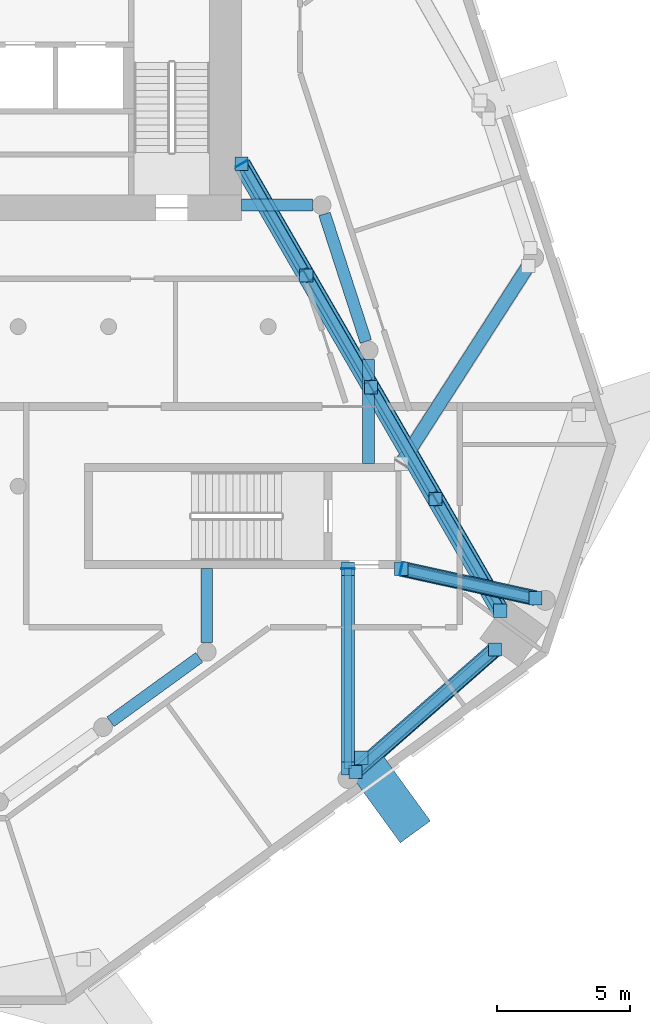
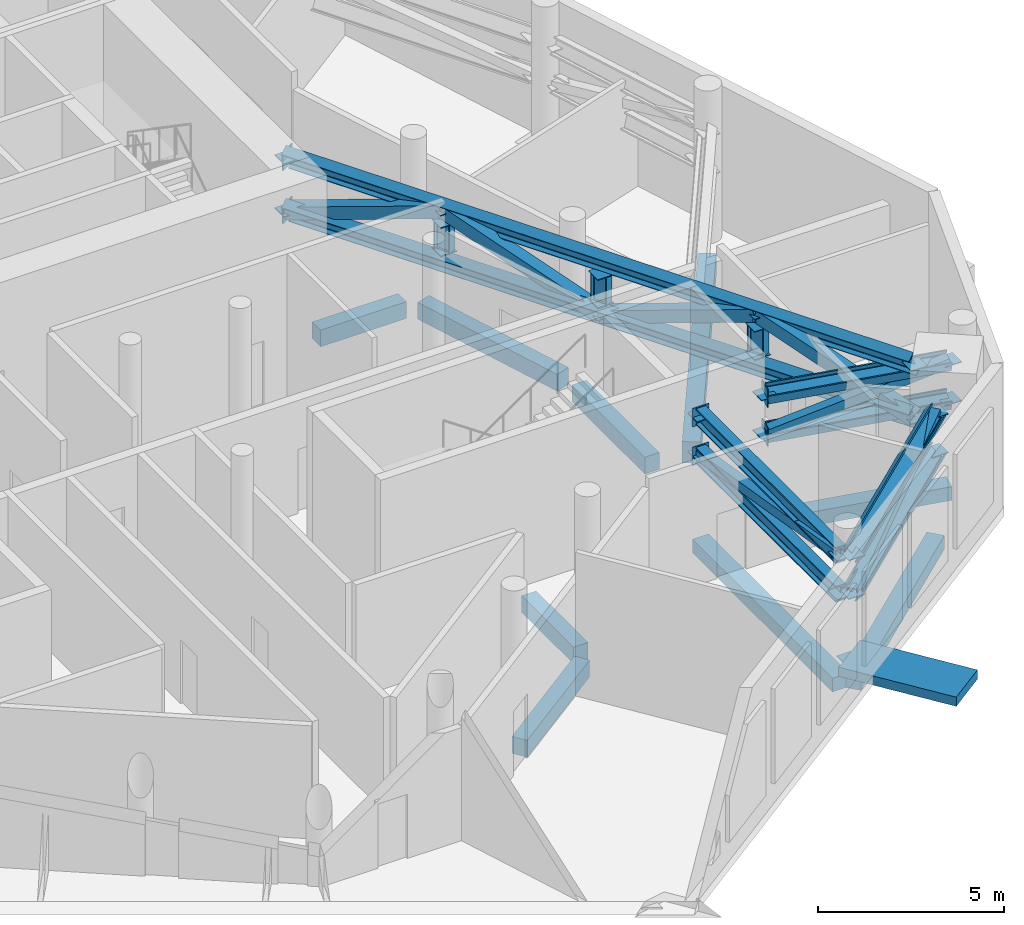
# One storey, part 4 of 17: 32 discrete accessories, 19 members, 9 beams.
"""IFC4 building model written with IfcOpenShell, lengths in metres."""

from ifc_helpers import new_model, si_unit, direction, frame, origin, origin_2d, place, context, subcontext, project, spatial, rectangle, hollow_rectangle, i_section, extrude, material, layer, layer_set, material_profile, profile_set, type_object, element, aggregate, save


model = new_model("IFC4")

# Units and contexts
model_context = context("Model", 3, precision=1e-05, world=origin(), true_north=direction((0.0, 1.0)))
body_context = subcontext(model_context, "Body", "Model", "MODEL_VIEW")
ifc_project = project(units=[si_unit("LENGTHUNIT", "METRE"), si_unit("AREAUNIT", "SQUARE_METRE"), si_unit("VOLUMEUNIT", "CUBIC_METRE"), si_unit("PLANEANGLEUNIT", "RADIAN"), si_unit("MASSUNIT", "GRAM", prefix="KILO")], contexts=[model_context])

# Site, building, storey
site_placement = place(None, origin())
site = spatial("IfcSite", under=ifc_project, at=site_placement, CompositionType="ELEMENT")
building_placement = place(site_placement, origin())
building = spatial("IfcBuilding", under=site, at=building_placement, Name="White Candle Pilgrim Tower", CompositionType="ELEMENT")
storey_placement = place(building_placement, frame((0.0, 0.0, 191.5)))
storey = spatial("IfcBuildingStorey", under=building, at=storey_placement, Name="L44", CompositionType="ELEMENT", Elevation=191.5)

# Member
ifc_material_1 = material(Name="Steel S355", Category="steel")
ifc_material_profile_1 = material_profile(ifc_material_1, i_section(OverallWidth=0.305908203125, OverallDepth=0.52392578125, WebThickness=0.02099609375, FlangeThickness=0.0400390625, FilletRadius=0.027099609375, at=origin_2d()), Name="HEM 500")
ifc_profile_set_1 = profile_set([ifc_material_profile_1], Name="Steel S355")
member_type_1 = type_object("IfcMemberType", Name="Belt truss chord HEM 500 S355", PredefinedType="CHORD", material=ifc_profile_set_1)
member_1_placement = place(storey_placement, frame((85.0, 50.385009765625, 2.412109375), z_axis=(0.0, 1.0, 0.0), x_axis=(1.0, 0.0, 0.0)))
member_1 = element("IfcMember", 1, at=member_1_placement, inside=storey, type_object=member_type_1, Name="L44 belt truss bottom chord 04", PredefinedType="CHORD", context=body_context, shape_type="SweptSolid", body=[
    extrude(i_section(OverallWidth=0.305908203125, OverallDepth=0.52392578125, WebThickness=0.02099609375, FlangeThickness=0.0400390625, FilletRadius=0.027099609375, at=origin_2d()), origin(), (0.0, 0.0, 1.0), 7.514892578125),
])

member_2_placement = place(storey_placement, frame((85.0, 50.385009765625, 3.677978515625), z_axis=(0.0, 1.0, 0.0), x_axis=(1.0, 0.0, 0.0)))
member_2 = element("IfcMember", 2, at=member_2_placement, inside=storey, type_object=member_type_1, Name="L44 belt truss top chord 04", PredefinedType="CHORD", context=body_context, shape_type="SweptSolid", body=[
    extrude(i_section(OverallWidth=0.305908203125, OverallDepth=0.52392578125, WebThickness=0.02099609375, FlangeThickness=0.0400390625, FilletRadius=0.027099609375, at=origin_2d()), origin(), (0.0, 0.0, 1.0), 7.514892578125),
])

member_3_placement = place(storey_placement, frame((85.28173828125, 50.25732421875, 2.412109375), z_axis=(0.751529055224, 0.65969999178, 0.0), x_axis=(0.435201955048, -0.495781291775, 0.751531881591)))
member_3 = element("IfcMember", 3, at=member_3_placement, inside=storey, type_object=member_type_1, Name="L44 belt truss bottom chord 05", PredefinedType="CHORD", context=body_context, shape_type="SweptSolid", body=[
    extrude(i_section(OverallWidth=0.305908203125, OverallDepth=0.52392578125, WebThickness=0.02099609375, FlangeThickness=0.0400390625, FilletRadius=0.027099609375, at=origin_2d()), origin(), (0.0, 0.0, 1.0), 6.97900390625),
])

member_4_placement = place(storey_placement, frame((85.28173828125, 50.25732421875, 3.677978515625), z_axis=(0.751529055224, 0.65969999178, 0.0), x_axis=(0.435201955048, -0.495781291775, 0.751531881591)))
member_4 = element("IfcMember", 4, at=member_4_placement, inside=storey, type_object=member_type_1, Name="L44 belt truss top chord 05", PredefinedType="CHORD", context=body_context, shape_type="SweptSolid", body=[
    extrude(i_section(OverallWidth=0.305908203125, OverallDepth=0.52392578125, WebThickness=0.02099609375, FlangeThickness=0.0400390625, FilletRadius=0.027099609375, at=origin_2d()), origin(), (0.0, 0.0, 1.0), 6.97900390625),
])

member_5_placement = place(storey_placement, frame((92.053955078125, 56.790283203125, 2.412109375), z_axis=(-0.976735666267, 0.214446819148, 0.0), x_axis=(0.045987159573, 0.209456587531, -0.976735951572)))
member_5 = element("IfcMember", 5, at=member_5_placement, inside=storey, type_object=member_type_1, Name="L44 belt truss bottom chord 06", PredefinedType="CHORD", context=body_context, shape_type="SweptSolid", body=[
    extrude(i_section(OverallWidth=0.305908203125, OverallDepth=0.52392578125, WebThickness=0.02099609375, FlangeThickness=0.0400390625, FilletRadius=0.027099609375, at=origin_2d()), origin(), (0.0, 0.0, 1.0), 5.17431640625),
])

member_6_placement = place(storey_placement, frame((92.053955078125, 56.790283203125, 3.677978515625), z_axis=(-0.976735666267, 0.214446819148, 0.0), x_axis=(0.045987159573, 0.209456587531, -0.976735951572)))
member_6 = element("IfcMember", 6, at=member_6_placement, inside=storey, type_object=member_type_1, Name="L44 belt truss top chord 06", PredefinedType="CHORD", context=body_context, shape_type="SweptSolid", body=[
    extrude(i_section(OverallWidth=0.305908203125, OverallDepth=0.52392578125, WebThickness=0.02099609375, FlangeThickness=0.0400390625, FilletRadius=0.027099609375, at=origin_2d()), origin(), (0.0, 0.0, 1.0), 5.17431640625),
])

# Members
ifc_material_profile_2 = material_profile(ifc_material_1, hollow_rectangle(XDim=0.300048828125, YDim=0.300048828125, WallThickness=0.01611328125, at=origin_2d()), Name="SHS 300x300x16")
ifc_profile_set_2 = profile_set([ifc_material_profile_2], Name="Steel S355")
member_type_2 = type_object("IfcMemberType", Name="Belt truss diagonal SHS 300x300x16 S355", PredefinedType="BRACE", material=ifc_profile_set_2)
member_7_placement = place(storey_placement, frame((85.0, 50.385009765625, 3.677978515625), z_axis=(0.0, 0.986107580236, -0.166107917336), x_axis=(-1.0, 0.0, 0.0)))
element("IfcMember", 7, at=member_7_placement, inside=storey, type_object=member_type_2, Name="L44 belt truss diagonal 04", PredefinedType="BRACE", context=body_context, shape_type="SweptSolid", body=[
    extrude(hollow_rectangle(XDim=0.300048828125, YDim=0.300048828125, WallThickness=0.01611328125, at=origin_2d()), origin(), (0.0, 0.0, 1.0), 7.620849609375),
])
member_8_placement = place(storey_placement, frame((85.28173828125, 50.25732421875, 2.412109375), z_axis=(0.739463231181, 0.649108486413, 0.178472133951), x_axis=(-0.65969999178, 0.751529055224, 0.0)))
element("IfcMember", 8, at=member_8_placement, inside=storey, type_object=member_type_2, Name="L44 belt truss diagonal 05", PredefinedType="BRACE", context=body_context, shape_type="SweptSolid", body=[
    extrude(hollow_rectangle(XDim=0.300048828125, YDim=0.300048828125, WallThickness=0.01611328125, at=origin_2d()), origin(), (0.0, 0.0, 1.0), 7.0927734375),
])
member_9_placement = place(storey_placement, frame((92.053955078125, 56.790283203125, 3.677978515625), z_axis=(-0.948756378646, 0.208303837541, -0.237635951079), x_axis=(-0.214446819148, -0.976735666267, 0.0)))
element("IfcMember", 9, at=member_9_placement, inside=storey, type_object=member_type_2, Name="L44 belt truss diagonal 06", PredefinedType="BRACE", context=body_context, shape_type="SweptSolid", body=[
    extrude(hollow_rectangle(XDim=0.300048828125, YDim=0.300048828125, WallThickness=0.01611328125, at=origin_2d()), origin(), (0.0, 0.0, 1.0), 5.326904296875),
])

# Member
ifc_material_profile_3 = material_profile(ifc_material_1, i_section(OverallWidth=0.302978515625, OverallDepth=0.81396484375, WebThickness=0.02099609375, FlangeThickness=0.0400390625, FilletRadius=0.030029296875, at=origin_2d()), Name="HEM 800")
ifc_profile_set_3 = profile_set([ifc_material_profile_3], Name="Steel S355")
member_type_3 = type_object("IfcMemberType", Name="L44 outrigger 1 chord HEM 800 S355", PredefinedType="CHORD", material=ifc_profile_set_3)
member_10_placement = place(storey_placement, frame((81.0, 73.125, 2.556884765625), z_axis=(0.500994136413, -0.865450677555, 0.0), x_axis=(0.749007670622, 0.433587332983, 0.500988556782)))
member_10 = element("IfcMember", 10, at=member_10_placement, inside=storey, type_object=member_type_3, Name="L44 outrigger 2 bottom chord", PredefinedType="CHORD", context=body_context, shape_type="SweptSolid", body=[
    extrude(i_section(OverallWidth=0.302978515625, OverallDepth=0.81396484375, WebThickness=0.02099609375, FlangeThickness=0.0400390625, FilletRadius=0.030029296875, at=origin_2d()), origin(), (0.0, 0.0, 1.0), 19.4150390625),
])

member_11_placement = place(storey_placement, frame((81.0, 73.125, 4.29296875), z_axis=(0.500994136413, -0.865450677555, 0.0), x_axis=(0.749007670622, 0.433587332983, 0.500988556782)))
member_11 = element("IfcMember", 11, at=member_11_placement, inside=storey, type_object=member_type_3, Name="L44 outrigger 2 top chord", PredefinedType="CHORD", context=body_context, shape_type="SweptSolid", body=[
    extrude(i_section(OverallWidth=0.302978515625, OverallDepth=0.81396484375, WebThickness=0.02099609375, FlangeThickness=0.0400390625, FilletRadius=0.030029296875, at=origin_2d()), origin(), (0.0, 0.0, 1.0), 19.4150390625),
])

ifc_material_profile_4 = material_profile(ifc_material_1, hollow_rectangle(XDim=0.39990234375, YDim=0.39990234375, WallThickness=0.02001953125, at=origin_2d()), Name="SHS 400x400x20")
ifc_profile_set_4 = profile_set([ifc_material_profile_4], Name="Steel S355")
member_type_4 = type_object("IfcMemberType", Name="L44 outrigger 1 diagonal SHS 400x400x20 S355", PredefinedType="BRACE", material=ifc_profile_set_4)
member_12_placement = place(storey_placement, frame((81.0, 73.125, 2.556884765625), z_axis=(0.471717853032, -0.814897327235, 0.336785708123), x_axis=(0.865456129808, 0.500984717708, 0.0)))
member_12 = element("IfcMember", 12, at=member_12_placement, inside=storey, type_object=member_type_4, Name="L44 outrigger 2 diagonal 1", PredefinedType="BRACE", context=body_context, shape_type="SweptSolid", body=[
    extrude(hollow_rectangle(XDim=0.39990234375, YDim=0.39990234375, WallThickness=0.02001953125, at=origin_2d()), origin(), (0.0, 0.0, 1.0), 5.15478515625),
])

member_13_placement = place(storey_placement, frame((83.431640625, 68.92431640625, 4.29296875), z_axis=(0.471717853032, -0.814897327235, -0.336785708123), x_axis=(0.865456129808, 0.500984717708, 0.0)))
member_13 = element("IfcMember", 13, at=member_13_placement, inside=storey, type_object=member_type_4, Name="L44 outrigger 2 diagonal 2", PredefinedType="BRACE", context=body_context, shape_type="SweptSolid", body=[
    extrude(hollow_rectangle(XDim=0.39990234375, YDim=0.39990234375, WallThickness=0.02001953125, at=origin_2d()), origin(), (0.0, 0.0, 1.0), 5.15478515625),
])

member_14_placement = place(storey_placement, frame((85.86328125, 64.7236328125, 2.556884765625), z_axis=(0.471717853032, -0.814897327235, 0.336785708123), x_axis=(0.865456129808, 0.500984717708, 0.0)))
member_14 = element("IfcMember", 14, at=member_14_placement, inside=storey, type_object=member_type_4, Name="L44 outrigger 2 diagonal 3", PredefinedType="BRACE", context=body_context, shape_type="SweptSolid", body=[
    extrude(hollow_rectangle(XDim=0.39990234375, YDim=0.39990234375, WallThickness=0.02001953125, at=origin_2d()), origin(), (0.0, 0.0, 1.0), 5.15478515625),
])

member_15_placement = place(storey_placement, frame((88.294921875, 60.52294921875, 4.29296875), z_axis=(0.471754674314, -0.814879121198, -0.336778183822), x_axis=(0.865434320592, 0.501022391457, 0.0)))
element("IfcMember", 15, at=member_15_placement, inside=storey, type_object=member_type_4, Name="L44 outrigger 2 diagonal 4", PredefinedType="BRACE", context=body_context, shape_type="SweptSolid", body=[
    extrude(hollow_rectangle(XDim=0.39990234375, YDim=0.39990234375, WallThickness=0.02001953125, at=origin_2d()), origin(), (0.0, 0.0, 1.0), 5.155029296875),
])

ifc_material_profile_5 = material_profile(ifc_material_1, i_section(OverallWidth=0.300048828125, OverallDepth=0.5, WebThickness=0.014404296875, FlangeThickness=0.028076171875, FilletRadius=0.027099609375, at=origin_2d()), Name="HEB 500")
ifc_profile_set_5 = profile_set([ifc_material_profile_5], Name="Steel S355")
member_type_5 = type_object("IfcMemberType", Name="L44 outrigger 1 post HEB 500 S355", PredefinedType="POST", material=ifc_profile_set_5)
member_16_placement = place(storey_placement, frame((83.431640625, 68.92431640625, 2.964111328125), z_axis=(0.0, 0.0, 1.0), x_axis=(0.865453907481, 0.500988556782, 0.0)))
member_16 = element("IfcMember", 16, at=member_16_placement, inside=storey, type_object=member_type_5, Name="L44 outrigger 2 post 1", PredefinedType="POST", context=body_context, shape_type="SweptSolid", body=[
    extrude(i_section(OverallWidth=0.300048828125, OverallDepth=0.5, WebThickness=0.014404296875, FlangeThickness=0.028076171875, FilletRadius=0.027099609375, at=origin_2d()), origin(), (0.0, 0.0, 1.0), 0.921875),
])

member_17_placement = place(storey_placement, frame((85.86328125, 64.7236328125, 2.964111328125), z_axis=(0.0, 0.0, 1.0), x_axis=(0.865453907481, 0.500988556782, 0.0)))
member_17 = element("IfcMember", 17, at=member_17_placement, inside=storey, type_object=member_type_5, Name="L44 outrigger 2 post 2", PredefinedType="POST", context=body_context, shape_type="SweptSolid", body=[
    extrude(i_section(OverallWidth=0.300048828125, OverallDepth=0.5, WebThickness=0.014404296875, FlangeThickness=0.028076171875, FilletRadius=0.027099609375, at=origin_2d()), origin(), (0.0, 0.0, 1.0), 0.921875),
])

member_18_placement = place(storey_placement, frame((88.294921875, 60.52294921875, 2.964111328125), z_axis=(0.0, 0.0, 1.0), x_axis=(0.865453907481, 0.500988556782, 0.0)))
member_18 = element("IfcMember", 18, at=member_18_placement, inside=storey, type_object=member_type_5, Name="L44 outrigger 2 post 3", PredefinedType="POST", context=body_context, shape_type="SweptSolid", body=[
    extrude(i_section(OverallWidth=0.300048828125, OverallDepth=0.5, WebThickness=0.014404296875, FlangeThickness=0.028076171875, FilletRadius=0.027099609375, at=origin_2d()), origin(), (0.0, 0.0, 1.0), 0.921875),
])

ifc_material_2 = material(Name="Concrete C70/85, white", Category="concrete")
ifc_layer_1 = layer(ifc_material_2, 0.300048828125)
ifc_layer_set_1 = layer_set([ifc_layer_1], Name="Node tie strut 3450x1400x300 C70/85")
member_type_6 = type_object("IfcMemberType", Name="Node tie strut 3450x1400x300 C70/85", PredefinedType="STRUT", material=ifc_layer_set_1)
member_19_placement = place(storey_placement, frame((86.51904296875, 49.3984375, -0.2998046875), z_axis=(0.0, 0.0, 1.0), x_axis=(0.809016994375, 0.587785252292, 0.0)))
member_19 = element("IfcMember", 19, at=member_19_placement, inside=storey, type_object=member_type_6, Name="Node tie strut NC146", PredefinedType="STRUT", context=body_context, shape_type="SweptSolid", body=[
    extrude(rectangle(XDim=1.39990234375, YDim=3.449951171875, at=origin_2d()), origin(), (0.0, 0.0, 1.0), 0.300048828125),
])

# Beams
ifc_material_3 = material(Name="Concrete C50/60", Category="concrete")
ifc_material_profile_6 = material_profile(ifc_material_3, rectangle(XDim=0.449951171875, YDim=0.550048828125, at=origin_2d()), Name="RC-BM 450x550")
ifc_profile_set_6 = profile_set([ifc_material_profile_6], Name="Concrete C50/60")
beam_type_1 = type_object("IfcBeamType", Name="Ring beam RC-BM 450x550 C50/60", PredefinedType="BEAM", material=ifc_profile_set_6)
beam_1_placement = place(storey_placement, frame((76.072998046875, 52.1455078125, -0.574951171875), z_axis=(0.809401961177, 0.587255025728, 0.0), x_axis=(-0.587255025728, 0.809401961177, 0.0)))
element("IfcBeam", 20, at=beam_1_placement, inside=storey, type_object=beam_type_1, Name="L44 ring beam R05", PredefinedType="BEAM", context=body_context, shape_type="SweptSolid", body=[
    extrude(rectangle(XDim=0.449951171875, YDim=0.550048828125, at=origin_2d()), origin(), (0.0, 0.0, 1.0), 4.119140625),
])
beam_2_placement = place(storey_placement, frame((79.68994140625, 55.1201171875, -0.574951171875), z_axis=(0.0, 1.0, 0.0), x_axis=(-1.0, 0.0, 0.0)))
element("IfcBeam", 21, at=beam_2_placement, inside=storey, type_object=beam_type_1, Name="L44 ring beam R06", PredefinedType="BEAM", context=body_context, shape_type="SweptSolid", body=[
    extrude(rectangle(XDim=0.449951171875, YDim=0.550048828125, at=origin_2d()), origin(), (0.0, 0.0, 1.0), 2.77978515625),
])
beam_3_placement = place(storey_placement, frame((85.780029296875, 65.760009765625, -0.574951171875), z_axis=(0.0, -1.0, 0.0), x_axis=(1.0, 0.0, 0.0)))
element("IfcBeam", 22, at=beam_3_placement, inside=storey, type_object=beam_type_1, Name="L44 ring beam R07", PredefinedType="BEAM", context=body_context, shape_type="SweptSolid", body=[
    extrude(rectangle(XDim=0.449951171875, YDim=0.550048828125, at=origin_2d()), origin(), (0.0, 0.0, 1.0), 3.909912109375),
])
beam_4_placement = place(storey_placement, frame((85.672119140625, 66.44287109375, -0.574951171875), z_axis=(-0.308369651752, 0.95126660715, 0.0), x_axis=(-0.95126660715, -0.308369651752, 0.0)))
element("IfcBeam", 23, at=beam_4_placement, inside=storey, type_object=beam_type_1, Name="L44 ring beam R08", PredefinedType="BEAM", context=body_context, shape_type="SweptSolid", body=[
    extrude(rectangle(XDim=0.449951171875, YDim=0.550048828125, at=origin_2d()), origin(), (0.0, 0.0, 1.0), 5.0400390625),
])
beam_5_placement = place(storey_placement, frame((83.659912109375, 71.570068359375, -0.574951171875), z_axis=(-1.0, 0.0, 0.0), x_axis=(0.0, -1.0, 0.0)))
element("IfcBeam", 24, at=beam_5_placement, inside=storey, type_object=beam_type_1, Name="L44 ring beam R09", PredefinedType="BEAM", context=body_context, shape_type="SweptSolid", body=[
    extrude(rectangle(XDim=0.449951171875, YDim=0.550048828125, at=origin_2d()), origin(), (0.0, 0.0, 1.0), 2.659912109375),
])
ifc_material_profile_7 = material_profile(ifc_material_3, rectangle(XDim=0.5, YDim=0.449951171875, at=origin_2d()), Name="RC-BM 500x450")
ifc_profile_set_7 = profile_set([ifc_material_profile_7], Name="Concrete C50/60")
beam_type_2 = type_object("IfcBeamType", Name="Spandrel beam RC-BM 500x450 C50/60", PredefinedType="BEAM", material=ifc_profile_set_7)
beam_6_placement = place(storey_placement, frame((85.0, 50.385009765625, -0.52490234375), z_axis=(0.0, 1.0, 0.0), x_axis=(-1.0, 0.0, 0.0)))
element("IfcBeam", 25, at=beam_6_placement, inside=storey, type_object=beam_type_2, Name="L44 spandrel beam T04", PredefinedType="BEAM", context=body_context, shape_type="SweptSolid", body=[
    extrude(rectangle(XDim=0.5, YDim=0.449951171875, at=origin_2d()), origin(), (0.0, 0.0, 1.0), 7.514892578125),
])
beam_7_placement = place(storey_placement, frame((85.28173828125, 50.25732421875, -0.52490234375), z_axis=(0.751529055224, 0.65969999178, 0.0), x_axis=(-0.65969999178, 0.751529055224, 0.0)))
element("IfcBeam", 26, at=beam_7_placement, inside=storey, type_object=beam_type_2, Name="L44 spandrel beam T05", PredefinedType="BEAM", context=body_context, shape_type="SweptSolid", body=[
    extrude(rectangle(XDim=0.5, YDim=0.449951171875, at=origin_2d()), origin(), (0.0, 0.0, 1.0), 6.97900390625),
])
beam_8_placement = place(storey_placement, frame((92.053955078125, 56.790283203125, -0.52490234375), z_axis=(-0.976735666267, 0.214446819148, 0.0), x_axis=(-0.214446819148, -0.976735666267, 0.0)))
element("IfcBeam", 27, at=beam_8_placement, inside=storey, type_object=beam_type_2, Name="L44 spandrel beam T06", PredefinedType="BEAM", context=body_context, shape_type="SweptSolid", body=[
    extrude(rectangle(XDim=0.5, YDim=0.449951171875, at=origin_2d()), origin(), (0.0, 0.0, 1.0), 5.17431640625),
])
ifc_material_profile_8 = material_profile(ifc_material_3, rectangle(XDim=0.5, YDim=0.699951171875, at=origin_2d()), Name="RC-BM 500x700")
ifc_profile_set_8 = profile_set([ifc_material_profile_8], Name="Concrete C50/60")
beam_type_3 = type_object("IfcBeamType", Name="Spandrel beam RC-BM 500x700 C50/60", PredefinedType="BEAM", material=ifc_profile_set_8)
beam_9_placement = place(storey_placement, frame((91.77734375, 69.28466796875, -0.64990234375), z_axis=(-0.540595612128, -0.841282582815, 0.0), x_axis=(0.841282582815, -0.540595612128, 0.0)))
element("IfcBeam", 28, at=beam_9_placement, inside=storey, type_object=beam_type_3, Name="L44 spandrel beam T07", PredefinedType="BEAM", context=body_context, shape_type="SweptSolid", body=[
    extrude(rectangle(XDim=0.5, YDim=0.699951171875, at=origin_2d()), origin(), (0.0, 0.0, 1.0), 8.837158203125),
])

# Discrete accessory
ifc_layer_2 = layer(ifc_material_1, 0.030029296875)
ifc_layer_set_2 = layer_set([ifc_layer_2], Name="Cast-in plate 500x600x30 S355")
discrete_accessory_type_1 = type_object("IfcDiscreteAccessoryType", Name="Cast-in plate 500x600x30 S355", PredefinedType="ANCHORPLATE", material=ifc_layer_set_2)
discrete_accessory_1_placement = place(storey_placement, frame((85.0, 57.89990234375, 2.112060546875), z_axis=(0.0, 0.0, 1.0), x_axis=(0.0, -1.0, 0.0)))
discrete_accessory_1 = element("IfcDiscreteAccessory", 29, at=discrete_accessory_1_placement, type_object=discrete_accessory_type_1, Name="Cast-in plate 0015", PredefinedType="ANCHORPLATE", context=body_context, shape_type="SweptSolid", body=[
    extrude(rectangle(XDim=0.030029296875, YDim=0.5, at=origin_2d()), origin(), (0.0, 0.0, 1.0), 0.60009765625),
])

discrete_accessory_2_placement = place(storey_placement, frame((85.0, 57.89990234375, 3.3779296875), z_axis=(0.0, 0.0, 1.0), x_axis=(0.0, -1.0, 0.0)))
discrete_accessory_2 = element("IfcDiscreteAccessory", 30, at=discrete_accessory_2_placement, type_object=discrete_accessory_type_1, Name="Cast-in plate 0016", PredefinedType="ANCHORPLATE", context=body_context, shape_type="SweptSolid", body=[
    extrude(rectangle(XDim=0.030029296875, YDim=0.5, at=origin_2d()), origin(), (0.0, 0.0, 1.0), 0.60009765625),
])

discrete_accessory_3_placement = place(storey_placement, frame((87.0, 57.89990234375, 2.112060546875), z_axis=(0.0, 0.0, 1.0), x_axis=(0.976735948597, -0.214445533221, 0.0)))
discrete_accessory_3 = element("IfcDiscreteAccessory", 31, at=discrete_accessory_3_placement, type_object=discrete_accessory_type_1, Name="Cast-in plate 0017", PredefinedType="ANCHORPLATE", context=body_context, shape_type="SweptSolid", body=[
    extrude(rectangle(XDim=0.030029296875, YDim=0.5, at=origin_2d()), origin(), (0.0, 0.0, 1.0), 0.60009765625),
])

discrete_accessory_4_placement = place(storey_placement, frame((87.0, 57.89990234375, 3.3779296875), z_axis=(0.0, 0.0, 1.0), x_axis=(0.976735948597, -0.214445533221, 0.0)))
discrete_accessory_4 = element("IfcDiscreteAccessory", 32, at=discrete_accessory_4_placement, type_object=discrete_accessory_type_1, Name="Cast-in plate 0018", PredefinedType="ANCHORPLATE", context=body_context, shape_type="SweptSolid", body=[
    extrude(rectangle(XDim=0.030029296875, YDim=0.5, at=origin_2d()), origin(), (0.0, 0.0, 1.0), 0.60009765625),
])

discrete_accessory_5_placement = place(storey_placement, frame((81.0, 73.125, 2.2568359375), z_axis=(0.0, 0.0, 1.0), x_axis=(0.500982152693, -0.865457614608, 0.0)))
discrete_accessory_5 = element("IfcDiscreteAccessory", 33, at=discrete_accessory_5_placement, type_object=discrete_accessory_type_1, Name="Cast-in plate 0047", PredefinedType="ANCHORPLATE", context=body_context, shape_type="SweptSolid", body=[
    extrude(rectangle(XDim=0.030029296875, YDim=0.5, at=origin_2d()), origin(), (0.0, 0.0, 1.0), 0.60009765625),
])

discrete_accessory_6_placement = place(storey_placement, frame((81.0, 73.125, 3.992919921875), z_axis=(0.0, 0.0, 1.0), x_axis=(0.500982152693, -0.865457614608, 0.0)))
discrete_accessory_6 = element("IfcDiscreteAccessory", 34, at=discrete_accessory_6_placement, type_object=discrete_accessory_type_1, Name="Cast-in plate 0048", PredefinedType="ANCHORPLATE", context=body_context, shape_type="SweptSolid", body=[
    extrude(rectangle(XDim=0.030029296875, YDim=0.5, at=origin_2d()), origin(), (0.0, 0.0, 1.0), 0.60009765625),
])

ifc_layer_3 = layer(ifc_material_1, 0.02490234375)
ifc_layer_set_3 = layer_set([ifc_layer_3], Name="Gusset plate 500x500x25 S355")
discrete_accessory_type_2 = type_object("IfcDiscreteAccessoryType", Name="Gusset plate 500x500x25 S355", PredefinedType="BRACKET", material=ifc_layer_set_3)
discrete_accessory_7_placement = place(storey_placement, frame((85.505126953125, 50.794189453125, -0.162353515625), z_axis=(0.0, 0.0, 1.0), x_axis=(1.0, 0.0, 0.0)))
discrete_accessory_7 = element("IfcDiscreteAccessory", 35, at=discrete_accessory_7_placement, type_object=discrete_accessory_type_2, Name="Gusset plate 0527", PredefinedType="BRACKET", context=body_context, shape_type="SweptSolid", body=[
    extrude(rectangle(XDim=0.5, YDim=0.5, at=origin_2d()), origin(), (0.0, 0.0, 1.0), 0.02490234375),
])

aggregate(member_19, [discrete_accessory_7])

discrete_accessory_8_placement = place(storey_placement, frame((85.0, 50.385009765625, 2.399658203125), z_axis=(0.0, 0.0, 1.0), x_axis=(1.0, 0.0, 0.0)))
discrete_accessory_8 = element("IfcDiscreteAccessory", 36, at=discrete_accessory_8_placement, type_object=discrete_accessory_type_2, Name="Gusset plate 0790", PredefinedType="BRACKET", context=body_context, shape_type="SweptSolid", body=[
    extrude(rectangle(XDim=0.5, YDim=0.5, at=origin_2d()), origin(), (0.0, 0.0, 1.0), 0.02490234375),
])

discrete_accessory_9_placement = place(storey_placement, frame((85.0, 57.89990234375, 2.399658203125), z_axis=(0.0, 0.0, 1.0), x_axis=(1.0, 0.0, 0.0)))
discrete_accessory_9 = element("IfcDiscreteAccessory", 37, at=discrete_accessory_9_placement, type_object=discrete_accessory_type_2, Name="Gusset plate 0791", PredefinedType="BRACKET", context=body_context, shape_type="SweptSolid", body=[
    extrude(rectangle(XDim=0.5, YDim=0.5, at=origin_2d()), origin(), (0.0, 0.0, 1.0), 0.02490234375),
])

aggregate(member_1, [discrete_accessory_8, discrete_accessory_9, discrete_accessory_1])

discrete_accessory_10_placement = place(storey_placement, frame((85.0, 50.385009765625, 3.66552734375), z_axis=(0.0, 0.0, 1.0), x_axis=(1.0, 0.0, 0.0)))
discrete_accessory_10 = element("IfcDiscreteAccessory", 38, at=discrete_accessory_10_placement, type_object=discrete_accessory_type_2, Name="Gusset plate 0792", PredefinedType="BRACKET", context=body_context, shape_type="SweptSolid", body=[
    extrude(rectangle(XDim=0.5, YDim=0.5, at=origin_2d()), origin(), (0.0, 0.0, 1.0), 0.02490234375),
])

discrete_accessory_11_placement = place(storey_placement, frame((85.0, 57.89990234375, 3.66552734375), z_axis=(0.0, 0.0, 1.0), x_axis=(1.0, 0.0, 0.0)))
discrete_accessory_11 = element("IfcDiscreteAccessory", 39, at=discrete_accessory_11_placement, type_object=discrete_accessory_type_2, Name="Gusset plate 0793", PredefinedType="BRACKET", context=body_context, shape_type="SweptSolid", body=[
    extrude(rectangle(XDim=0.5, YDim=0.5, at=origin_2d()), origin(), (0.0, 0.0, 1.0), 0.02490234375),
])

aggregate(member_2, [discrete_accessory_10, discrete_accessory_11, discrete_accessory_2])

discrete_accessory_12_placement = place(storey_placement, frame((85.28173828125, 50.25732421875, 2.399658203125), z_axis=(0.0, 0.0, 1.0), x_axis=(1.0, 0.0, 0.0)))
discrete_accessory_12 = element("IfcDiscreteAccessory", 40, at=discrete_accessory_12_placement, type_object=discrete_accessory_type_2, Name="Gusset plate 0794", PredefinedType="BRACKET", context=body_context, shape_type="SweptSolid", body=[
    extrude(rectangle(XDim=0.5, YDim=0.5, at=origin_2d()), origin(), (0.0, 0.0, 1.0), 0.02490234375),
])

discrete_accessory_13_placement = place(storey_placement, frame((90.526611328125, 54.861328125, 2.399658203125), z_axis=(0.0, 0.0, 1.0), x_axis=(1.0, 0.0, 0.0)))
discrete_accessory_13 = element("IfcDiscreteAccessory", 41, at=discrete_accessory_13_placement, type_object=discrete_accessory_type_2, Name="Gusset plate 0795", PredefinedType="BRACKET", context=body_context, shape_type="SweptSolid", body=[
    extrude(rectangle(XDim=0.5, YDim=0.5, at=origin_2d()), origin(), (0.0, 0.0, 1.0), 0.02490234375),
])

aggregate(member_3, [discrete_accessory_12, discrete_accessory_13])

discrete_accessory_14_placement = place(storey_placement, frame((85.28173828125, 50.25732421875, 3.66552734375), z_axis=(0.0, 0.0, 1.0), x_axis=(1.0, 0.0, 0.0)))
discrete_accessory_14 = element("IfcDiscreteAccessory", 42, at=discrete_accessory_14_placement, type_object=discrete_accessory_type_2, Name="Gusset plate 0796", PredefinedType="BRACKET", context=body_context, shape_type="SweptSolid", body=[
    extrude(rectangle(XDim=0.5, YDim=0.5, at=origin_2d()), origin(), (0.0, 0.0, 1.0), 0.02490234375),
])

discrete_accessory_15_placement = place(storey_placement, frame((90.526611328125, 54.861328125, 3.66552734375), z_axis=(0.0, 0.0, 1.0), x_axis=(1.0, 0.0, 0.0)))
discrete_accessory_15 = element("IfcDiscreteAccessory", 43, at=discrete_accessory_15_placement, type_object=discrete_accessory_type_2, Name="Gusset plate 0797", PredefinedType="BRACKET", context=body_context, shape_type="SweptSolid", body=[
    extrude(rectangle(XDim=0.5, YDim=0.5, at=origin_2d()), origin(), (0.0, 0.0, 1.0), 0.02490234375),
])

aggregate(member_4, [discrete_accessory_14, discrete_accessory_15])

discrete_accessory_16_placement = place(storey_placement, frame((92.053955078125, 56.790283203125, 2.399658203125), z_axis=(0.0, 0.0, 1.0), x_axis=(1.0, 0.0, 0.0)))
discrete_accessory_16 = element("IfcDiscreteAccessory", 44, at=discrete_accessory_16_placement, type_object=discrete_accessory_type_2, Name="Gusset plate 0798", PredefinedType="BRACKET", context=body_context, shape_type="SweptSolid", body=[
    extrude(rectangle(XDim=0.5, YDim=0.5, at=origin_2d()), origin(), (0.0, 0.0, 1.0), 0.02490234375),
])

discrete_accessory_17_placement = place(storey_placement, frame((87.0, 57.89990234375, 2.399658203125), z_axis=(0.0, 0.0, 1.0), x_axis=(1.0, 0.0, 0.0)))
discrete_accessory_17 = element("IfcDiscreteAccessory", 45, at=discrete_accessory_17_placement, type_object=discrete_accessory_type_2, Name="Gusset plate 0799", PredefinedType="BRACKET", context=body_context, shape_type="SweptSolid", body=[
    extrude(rectangle(XDim=0.5, YDim=0.5, at=origin_2d()), origin(), (0.0, 0.0, 1.0), 0.02490234375),
])

aggregate(member_5, [discrete_accessory_16, discrete_accessory_17, discrete_accessory_3])

discrete_accessory_18_placement = place(storey_placement, frame((92.053955078125, 56.790283203125, 3.66552734375), z_axis=(0.0, 0.0, 1.0), x_axis=(1.0, 0.0, 0.0)))
discrete_accessory_18 = element("IfcDiscreteAccessory", 46, at=discrete_accessory_18_placement, type_object=discrete_accessory_type_2, Name="Gusset plate 0800", PredefinedType="BRACKET", context=body_context, shape_type="SweptSolid", body=[
    extrude(rectangle(XDim=0.5, YDim=0.5, at=origin_2d()), origin(), (0.0, 0.0, 1.0), 0.02490234375),
])

discrete_accessory_19_placement = place(storey_placement, frame((87.0, 57.89990234375, 3.66552734375), z_axis=(0.0, 0.0, 1.0), x_axis=(1.0, 0.0, 0.0)))
discrete_accessory_19 = element("IfcDiscreteAccessory", 47, at=discrete_accessory_19_placement, type_object=discrete_accessory_type_2, Name="Gusset plate 0801", PredefinedType="BRACKET", context=body_context, shape_type="SweptSolid", body=[
    extrude(rectangle(XDim=0.5, YDim=0.5, at=origin_2d()), origin(), (0.0, 0.0, 1.0), 0.02490234375),
])

aggregate(member_6, [discrete_accessory_18, discrete_accessory_19, discrete_accessory_4])

discrete_accessory_20_placement = place(storey_placement, frame((81.0, 73.125, 2.54443359375), z_axis=(0.0, 0.0, 1.0), x_axis=(1.0, 0.0, 0.0)))
discrete_accessory_20 = element("IfcDiscreteAccessory", 48, at=discrete_accessory_20_placement, type_object=discrete_accessory_type_2, Name="Gusset plate 0971", PredefinedType="BRACKET", context=body_context, shape_type="SweptSolid", body=[
    extrude(rectangle(XDim=0.5, YDim=0.5, at=origin_2d()), origin(), (0.0, 0.0, 1.0), 0.02490234375),
])

discrete_accessory_21_placement = place(storey_placement, frame((90.726806640625, 56.322265625, 2.54443359375), z_axis=(0.0, 0.0, 1.0), x_axis=(1.0, 0.0, 0.0)))
discrete_accessory_21 = element("IfcDiscreteAccessory", 49, at=discrete_accessory_21_placement, type_object=discrete_accessory_type_2, Name="Gusset plate 0972", PredefinedType="BRACKET", context=body_context, shape_type="SweptSolid", body=[
    extrude(rectangle(XDim=0.5, YDim=0.5, at=origin_2d()), origin(), (0.0, 0.0, 1.0), 0.02490234375),
])

aggregate(member_10, [discrete_accessory_20, discrete_accessory_21, discrete_accessory_5])

discrete_accessory_22_placement = place(storey_placement, frame((81.0, 73.125, 4.280517578125), z_axis=(0.0, 0.0, 1.0), x_axis=(1.0, 0.0, 0.0)))
discrete_accessory_22 = element("IfcDiscreteAccessory", 50, at=discrete_accessory_22_placement, type_object=discrete_accessory_type_2, Name="Gusset plate 0973", PredefinedType="BRACKET", context=body_context, shape_type="SweptSolid", body=[
    extrude(rectangle(XDim=0.5, YDim=0.5, at=origin_2d()), origin(), (0.0, 0.0, 1.0), 0.02490234375),
])

discrete_accessory_23_placement = place(storey_placement, frame((90.726806640625, 56.322265625, 4.280517578125), z_axis=(0.0, 0.0, 1.0), x_axis=(1.0, 0.0, 0.0)))
discrete_accessory_23 = element("IfcDiscreteAccessory", 51, at=discrete_accessory_23_placement, type_object=discrete_accessory_type_2, Name="Gusset plate 0974", PredefinedType="BRACKET", context=body_context, shape_type="SweptSolid", body=[
    extrude(rectangle(XDim=0.5, YDim=0.5, at=origin_2d()), origin(), (0.0, 0.0, 1.0), 0.02490234375),
])

aggregate(member_11, [discrete_accessory_22, discrete_accessory_23, discrete_accessory_6])

discrete_accessory_24_placement = place(storey_placement, frame((83.431640625, 68.92431640625, 4.280517578125), z_axis=(0.0, 0.0, 1.0), x_axis=(1.0, 0.0, 0.0)))
discrete_accessory_24 = element("IfcDiscreteAccessory", 52, at=discrete_accessory_24_placement, type_object=discrete_accessory_type_2, Name="Gusset plate 0975", PredefinedType="BRACKET", context=body_context, shape_type="SweptSolid", body=[
    extrude(rectangle(XDim=0.5, YDim=0.5, at=origin_2d()), origin(), (0.0, 0.0, 1.0), 0.02490234375),
])

aggregate(member_12, [discrete_accessory_24])

discrete_accessory_25_placement = place(storey_placement, frame((85.86328125, 64.7236328125, 2.54443359375), z_axis=(0.0, 0.0, 1.0), x_axis=(1.0, 0.0, 0.0)))
discrete_accessory_25 = element("IfcDiscreteAccessory", 53, at=discrete_accessory_25_placement, type_object=discrete_accessory_type_2, Name="Gusset plate 0976", PredefinedType="BRACKET", context=body_context, shape_type="SweptSolid", body=[
    extrude(rectangle(XDim=0.5, YDim=0.5, at=origin_2d()), origin(), (0.0, 0.0, 1.0), 0.02490234375),
])

aggregate(member_13, [discrete_accessory_25])

discrete_accessory_26_placement = place(storey_placement, frame((88.294921875, 60.52294921875, 4.280517578125), z_axis=(0.0, 0.0, 1.0), x_axis=(1.0, 0.0, 0.0)))
discrete_accessory_26 = element("IfcDiscreteAccessory", 54, at=discrete_accessory_26_placement, type_object=discrete_accessory_type_2, Name="Gusset plate 0977", PredefinedType="BRACKET", context=body_context, shape_type="SweptSolid", body=[
    extrude(rectangle(XDim=0.5, YDim=0.5, at=origin_2d()), origin(), (0.0, 0.0, 1.0), 0.02490234375),
])

aggregate(member_14, [discrete_accessory_26])

discrete_accessory_27_placement = place(storey_placement, frame((83.431640625, 68.92431640625, 2.95166015625), z_axis=(0.0, 0.0, 1.0), x_axis=(1.0, 0.0, 0.0)))
discrete_accessory_27 = element("IfcDiscreteAccessory", 55, at=discrete_accessory_27_placement, type_object=discrete_accessory_type_2, Name="Gusset plate 0978", PredefinedType="BRACKET", context=body_context, shape_type="SweptSolid", body=[
    extrude(rectangle(XDim=0.5, YDim=0.5, at=origin_2d()), origin(), (0.0, 0.0, 1.0), 0.02490234375),
])

discrete_accessory_28_placement = place(storey_placement, frame((83.431640625, 68.92431640625, 3.87353515625), z_axis=(0.0, 0.0, 1.0), x_axis=(1.0, 0.0, 0.0)))
discrete_accessory_28 = element("IfcDiscreteAccessory", 56, at=discrete_accessory_28_placement, type_object=discrete_accessory_type_2, Name="Gusset plate 0979", PredefinedType="BRACKET", context=body_context, shape_type="SweptSolid", body=[
    extrude(rectangle(XDim=0.5, YDim=0.5, at=origin_2d()), origin(), (0.0, 0.0, 1.0), 0.02490234375),
])

aggregate(member_16, [discrete_accessory_27, discrete_accessory_28])

discrete_accessory_29_placement = place(storey_placement, frame((85.86328125, 64.7236328125, 2.95166015625), z_axis=(0.0, 0.0, 1.0), x_axis=(1.0, 0.0, 0.0)))
discrete_accessory_29 = element("IfcDiscreteAccessory", 57, at=discrete_accessory_29_placement, type_object=discrete_accessory_type_2, Name="Gusset plate 0980", PredefinedType="BRACKET", context=body_context, shape_type="SweptSolid", body=[
    extrude(rectangle(XDim=0.5, YDim=0.5, at=origin_2d()), origin(), (0.0, 0.0, 1.0), 0.02490234375),
])

discrete_accessory_30_placement = place(storey_placement, frame((85.86328125, 64.7236328125, 3.87353515625), z_axis=(0.0, 0.0, 1.0), x_axis=(1.0, 0.0, 0.0)))
discrete_accessory_30 = element("IfcDiscreteAccessory", 58, at=discrete_accessory_30_placement, type_object=discrete_accessory_type_2, Name="Gusset plate 0981", PredefinedType="BRACKET", context=body_context, shape_type="SweptSolid", body=[
    extrude(rectangle(XDim=0.5, YDim=0.5, at=origin_2d()), origin(), (0.0, 0.0, 1.0), 0.02490234375),
])

aggregate(member_17, [discrete_accessory_29, discrete_accessory_30])

discrete_accessory_31_placement = place(storey_placement, frame((88.294921875, 60.52294921875, 2.95166015625), z_axis=(0.0, 0.0, 1.0), x_axis=(1.0, 0.0, 0.0)))
discrete_accessory_31 = element("IfcDiscreteAccessory", 59, at=discrete_accessory_31_placement, type_object=discrete_accessory_type_2, Name="Gusset plate 0982", PredefinedType="BRACKET", context=body_context, shape_type="SweptSolid", body=[
    extrude(rectangle(XDim=0.5, YDim=0.5, at=origin_2d()), origin(), (0.0, 0.0, 1.0), 0.02490234375),
])

discrete_accessory_32_placement = place(storey_placement, frame((88.294921875, 60.52294921875, 3.87353515625), z_axis=(0.0, 0.0, 1.0), x_axis=(1.0, 0.0, 0.0)))
discrete_accessory_32 = element("IfcDiscreteAccessory", 60, at=discrete_accessory_32_placement, type_object=discrete_accessory_type_2, Name="Gusset plate 0983", PredefinedType="BRACKET", context=body_context, shape_type="SweptSolid", body=[
    extrude(rectangle(XDim=0.5, YDim=0.5, at=origin_2d()), origin(), (0.0, 0.0, 1.0), 0.02490234375),
])

aggregate(member_18, [discrete_accessory_31, discrete_accessory_32])

save(model, "model.ifc")
